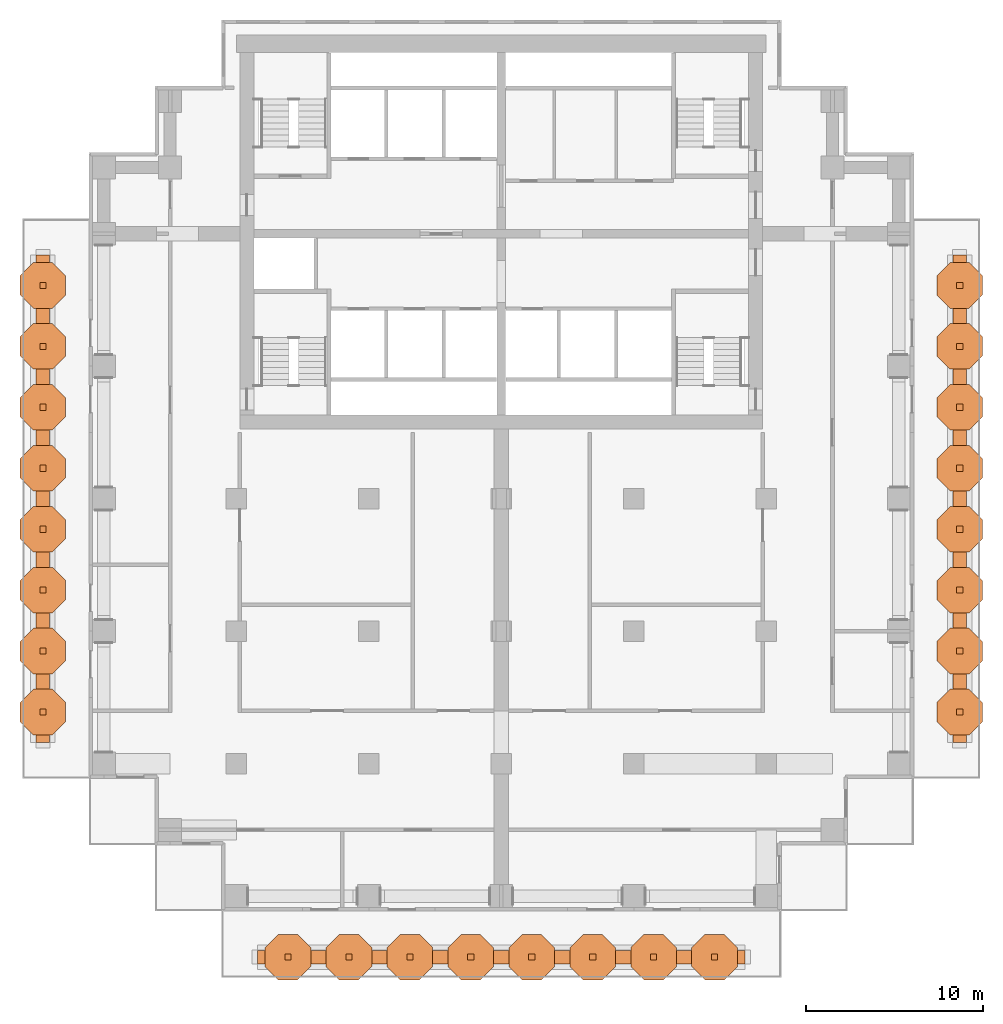
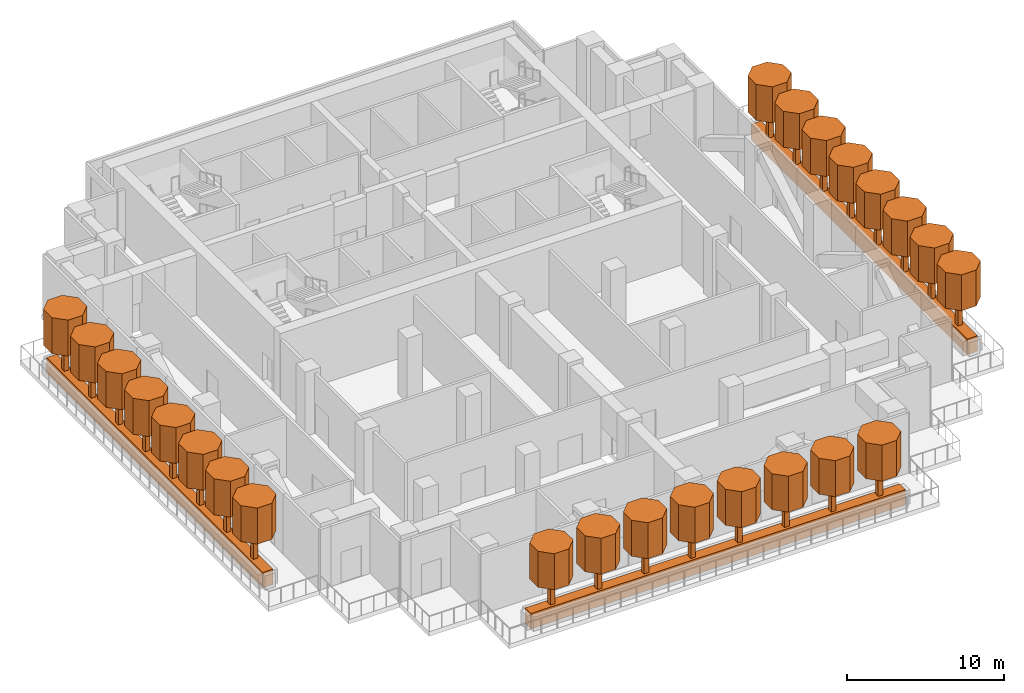
# One storey, part 9 of 9: 51 geographic elements.
"""IFC4 building model written with IfcOpenShell, lengths in metres."""

from ifc_helpers import new_model, si_unit, direction, frame, origin, origin_2d, place, context, subcontext, project, spatial, polyline, rectangle, outline, extrude, material, material_profile, profile_set, type_object, element, save


model = new_model("IFC4")

# Units and contexts
model_context = context("Model", 3, precision=1e-05, world=origin(), true_north=direction((0.0, 1.0)))
body_context = subcontext(model_context, "Body", "Model", "MODEL_VIEW")
ifc_project = project(units=[si_unit("LENGTHUNIT", "METRE"), si_unit("AREAUNIT", "SQUARE_METRE"), si_unit("VOLUMEUNIT", "CUBIC_METRE"), si_unit("PLANEANGLEUNIT", "RADIAN"), si_unit("MASSUNIT", "GRAM", prefix="KILO")], contexts=[model_context])

# Site, building, storey
site_placement = place(None, origin())
site = spatial("IfcSite", under=ifc_project, at=site_placement, CompositionType="ELEMENT")
building_placement = place(site_placement, origin())
building = spatial("IfcBuilding", under=site, at=building_placement, Name="Pilkhan Gate Tower", CompositionType="ELEMENT")
storey_placement = place(building_placement, frame((0.0, 0.0, 102.199951171875)))
storey = spatial("IfcBuildingStorey", under=building, at=storey_placement, Name="L25", CompositionType="ELEMENT", Elevation=102.199951171875)

# Geographic elements
ifc_material_1 = material(Name="Foliage")
ifc_material_profile_1 = material_profile(ifc_material_1, rectangle(XDim=0.75, YDim=1.199951171875, at=origin_2d()), Name="Bed 750x1200")
ifc_profile_set_1 = profile_set([ifc_material_profile_1], Name="Foliage")
geographic_element_type_1 = type_object("IfcGeographicElementType", Name="Planting bed PB1", PredefinedType="USERDEFINED", material=ifc_profile_set_1)
for number, where, z_axis, x_axis, name in (
    (1, (100.949951171875, 81.300048828125, 0.60009765625), (0.0, -1.0, 0.0), (1.0, 0.0, 0.0), "Terrace L25 2 planting bed"),
    (2, (88.800048828125, 41.550048828125, 0.60009765625), (-1.0, 0.0, 0.0), (0.0, -1.0, 0.0), "Terrace L25 0 planting bed"),
    (3, (49.050048828125, 53.699951171875, 0.60009765625), (0.0, 1.0, 0.0), (-1.0, 0.0, 0.0), "Terrace L25 0 planting bed"),
):
    element("IfcGeographicElement", number, at=place(storey_placement, frame(where, z_axis=z_axis, x_axis=x_axis)), inside=storey, type_object=geographic_element_type_1, Name=name, ObjectType="PLANTING BED", PredefinedType="USERDEFINED", context=body_context, shape_type="SweptSolid", body=[
        extrude(rectangle(XDim=0.75, YDim=1.199951171875, at=origin_2d()), origin(), (0.0, 0.0, 1.0), 27.60009765625),
    ])
ifc_material_profile_2 = material_profile(ifc_material_1, outline(polyline([(1.29345703125, 0.535888671875), (0.535888671875, 1.29345703125), (-0.535888671875, 1.29345703125), (-1.29345703125, 0.535888671875), (-1.29345703125, -0.535888671875), (-0.535888671875, -1.29345703125), (0.535888671875, -1.29345703125), (1.29345703125, -0.535888671875), (1.29345703125, 0.535888671875)])), Name="Canopy D2.8")
ifc_profile_set_2 = profile_set([ifc_material_profile_2], Name="Foliage")
geographic_element_type_2 = type_object("IfcGeographicElementType", Name="Tree canopy TC14", PredefinedType="USERDEFINED", material=ifc_profile_set_2)
for number, where, z_axis, x_axis, name in (
    (4, (100.949951171875, 79.574951171875, 3.199951171875), (0.0, 0.0, 1.0), (1.0, 0.0, 0.0), "Tree L25 terrace 2.1 canopy"),
    (5, (100.949951171875, 76.125, 3.199951171875), (0.0, 0.0, 1.0), (1.0, 0.0, 0.0), "Tree L25 terrace 2.2 canopy"),
    (6, (100.949951171875, 72.675048828125, 3.199951171875), (0.0, 0.0, 1.0), (1.0, 0.0, 0.0), "Tree L25 terrace 2.3 canopy"),
    (7, (100.949951171875, 69.22509765625, 3.199951171875), (0.0, 0.0, 1.0), (1.0, 0.0, 0.0), "Tree L25 terrace 2.4 canopy"),
    (8, (100.949951171875, 65.77490234375, 3.199951171875), (0.0, 0.0, 1.0), (1.0, 0.0, 0.0), "Tree L25 terrace 2.5 canopy"),
    (9, (100.949951171875, 62.324951171875, 3.199951171875), (0.0, 0.0, 1.0), (1.0, 0.0, 0.0), "Tree L25 terrace 2.6 canopy"),
    (10, (100.949951171875, 58.875, 3.199951171875), (0.0, 0.0, 1.0), (1.0, 0.0, 0.0), "Tree L25 terrace 2.7 canopy"),
    (11, (100.949951171875, 55.425048828125, 3.199951171875), (0.0, 0.0, 1.0), (1.0, 0.0, 0.0), "Tree L25 terrace 2.8 canopy"),
    (12, (87.074951171875, 41.550048828125, 3.199951171875), (0.0, 0.0, 1.0), (1.0, 0.0, 0.0), "Tree L25 terrace 0.1 canopy"),
    (13, (83.625, 41.550048828125, 3.199951171875), (0.0, 0.0, 1.0), (1.0, 0.0, 0.0), "Tree L25 terrace 0.2 canopy"),
    (14, (80.175048828125, 41.550048828125, 3.199951171875), (0.0, 0.0, 1.0), (1.0, 0.0, 0.0), "Tree L25 terrace 0.3 canopy"),
    (15, (76.72509765625, 41.550048828125, 3.199951171875), (0.0, 0.0, 1.0), (1.0, 0.0, 0.0), "Tree L25 terrace 0.4 canopy"),
    (16, (73.27490234375, 41.550048828125, 3.199951171875), (0.0, 0.0, 1.0), (1.0, 0.0, 0.0), "Tree L25 terrace 0.5 canopy"),
    (17, (69.824951171875, 41.550048828125, 3.199951171875), (0.0, 0.0, 1.0), (1.0, 0.0, 0.0), "Tree L25 terrace 0.6 canopy"),
    (18, (66.375, 41.550048828125, 3.199951171875), (0.0, 0.0, 1.0), (1.0, 0.0, 0.0), "Tree L25 terrace 0.7 canopy"),
    (19, (62.925048828125, 41.550048828125, 3.199951171875), (0.0, 0.0, 1.0), (1.0, 0.0, 0.0), "Tree L25 terrace 0.8 canopy"),
    (20, (49.050048828125, 55.425048828125, 3.199951171875), (0.0, 0.0, 1.0), (1.0, 0.0, 0.0), "Tree L25 terrace 0.1 canopy"),
    (21, (49.050048828125, 58.875, 3.199951171875), (0.0, 0.0, 1.0), (1.0, 0.0, 0.0), "Tree L25 terrace 0.2 canopy"),
    (22, (49.050048828125, 62.324951171875, 3.199951171875), (0.0, 0.0, 1.0), (1.0, 0.0, 0.0), "Tree L25 terrace 0.3 canopy"),
    (23, (49.050048828125, 65.77490234375, 3.199951171875), (0.0, 0.0, 1.0), (1.0, 0.0, 0.0), "Tree L25 terrace 0.4 canopy"),
    (24, (49.050048828125, 69.22509765625, 3.199951171875), (0.0, 0.0, 1.0), (1.0, 0.0, 0.0), "Tree L25 terrace 0.5 canopy"),
    (25, (49.050048828125, 72.675048828125, 3.199951171875), (0.0, 0.0, 1.0), (1.0, 0.0, 0.0), "Tree L25 terrace 0.6 canopy"),
    (26, (49.050048828125, 76.125, 3.199951171875), (0.0, 0.0, 1.0), (1.0, 0.0, 0.0), "Tree L25 terrace 0.7 canopy"),
    (27, (49.050048828125, 79.574951171875, 3.199951171875), (0.0, 0.0, 1.0), (1.0, 0.0, 0.0), "Tree L25 terrace 0.8 canopy"),
):
    element("IfcGeographicElement", number, at=place(storey_placement, frame(where, z_axis=z_axis, x_axis=x_axis)), inside=storey, type_object=geographic_element_type_2, Name=name, ObjectType="TREE", PredefinedType="USERDEFINED", context=body_context, shape_type="SweptSolid", body=[
        extrude(outline(polyline([(1.29345703125, 0.535888671875), (0.535888671875, 1.29345703125), (-0.535888671875, 1.29345703125), (-1.29345703125, 0.535888671875), (-1.29345703125, -0.535888671875), (-0.535888671875, -1.29345703125), (0.535888671875, -1.29345703125), (1.29345703125, -0.535888671875), (1.29345703125, 0.535888671875)])), origin(), (0.0, 0.0, 1.0), 2.800048828125),
    ])
ifc_material_2 = material(Name="Timber trunk", Category="wood")
geographic_element_type_3 = type_object("IfcGeographicElementType", Name="Tree trunk TT1", PredefinedType="USERDEFINED", material=ifc_material_2)
for number, where, z_axis, x_axis, name in (
    (28, (100.949951171875, 79.574951171875, 1.199951171875), (0.0, 0.0, 1.0), (1.0, 0.0, 0.0), "Tree L25 terrace 2.1 trunk"),
    (29, (100.949951171875, 76.125, 1.199951171875), (0.0, 0.0, 1.0), (1.0, 0.0, 0.0), "Tree L25 terrace 2.2 trunk"),
    (30, (100.949951171875, 72.675048828125, 1.199951171875), (0.0, 0.0, 1.0), (1.0, 0.0, 0.0), "Tree L25 terrace 2.3 trunk"),
    (31, (100.949951171875, 69.22509765625, 1.199951171875), (0.0, 0.0, 1.0), (1.0, 0.0, 0.0), "Tree L25 terrace 2.4 trunk"),
    (32, (100.949951171875, 65.77490234375, 1.199951171875), (0.0, 0.0, 1.0), (1.0, 0.0, 0.0), "Tree L25 terrace 2.5 trunk"),
    (33, (100.949951171875, 62.324951171875, 1.199951171875), (0.0, 0.0, 1.0), (1.0, 0.0, 0.0), "Tree L25 terrace 2.6 trunk"),
    (34, (100.949951171875, 58.875, 1.199951171875), (0.0, 0.0, 1.0), (1.0, 0.0, 0.0), "Tree L25 terrace 2.7 trunk"),
    (35, (100.949951171875, 55.425048828125, 1.199951171875), (0.0, 0.0, 1.0), (1.0, 0.0, 0.0), "Tree L25 terrace 2.8 trunk"),
    (36, (87.074951171875, 41.550048828125, 1.199951171875), (0.0, 0.0, 1.0), (1.0, 0.0, 0.0), "Tree L25 terrace 0.1 trunk"),
    (37, (83.625, 41.550048828125, 1.199951171875), (0.0, 0.0, 1.0), (1.0, 0.0, 0.0), "Tree L25 terrace 0.2 trunk"),
    (38, (80.175048828125, 41.550048828125, 1.199951171875), (0.0, 0.0, 1.0), (1.0, 0.0, 0.0), "Tree L25 terrace 0.3 trunk"),
    (39, (76.72509765625, 41.550048828125, 1.199951171875), (0.0, 0.0, 1.0), (1.0, 0.0, 0.0), "Tree L25 terrace 0.4 trunk"),
    (40, (73.27490234375, 41.550048828125, 1.199951171875), (0.0, 0.0, 1.0), (1.0, 0.0, 0.0), "Tree L25 terrace 0.5 trunk"),
    (41, (69.824951171875, 41.550048828125, 1.199951171875), (0.0, 0.0, 1.0), (1.0, 0.0, 0.0), "Tree L25 terrace 0.6 trunk"),
    (42, (66.375, 41.550048828125, 1.199951171875), (0.0, 0.0, 1.0), (1.0, 0.0, 0.0), "Tree L25 terrace 0.7 trunk"),
    (43, (62.925048828125, 41.550048828125, 1.199951171875), (0.0, 0.0, 1.0), (1.0, 0.0, 0.0), "Tree L25 terrace 0.8 trunk"),
    (44, (49.050048828125, 55.425048828125, 1.199951171875), (0.0, 0.0, 1.0), (1.0, 0.0, 0.0), "Tree L25 terrace 0.1 trunk"),
    (45, (49.050048828125, 58.875, 1.199951171875), (0.0, 0.0, 1.0), (1.0, 0.0, 0.0), "Tree L25 terrace 0.2 trunk"),
    (46, (49.050048828125, 62.324951171875, 1.199951171875), (0.0, 0.0, 1.0), (1.0, 0.0, 0.0), "Tree L25 terrace 0.3 trunk"),
    (47, (49.050048828125, 65.77490234375, 1.199951171875), (0.0, 0.0, 1.0), (1.0, 0.0, 0.0), "Tree L25 terrace 0.4 trunk"),
    (48, (49.050048828125, 69.22509765625, 1.199951171875), (0.0, 0.0, 1.0), (1.0, 0.0, 0.0), "Tree L25 terrace 0.5 trunk"),
    (49, (49.050048828125, 72.675048828125, 1.199951171875), (0.0, 0.0, 1.0), (1.0, 0.0, 0.0), "Tree L25 terrace 0.6 trunk"),
    (50, (49.050048828125, 76.125, 1.199951171875), (0.0, 0.0, 1.0), (1.0, 0.0, 0.0), "Tree L25 terrace 0.7 trunk"),
    (51, (49.050048828125, 79.574951171875, 1.199951171875), (0.0, 0.0, 1.0), (1.0, 0.0, 0.0), "Tree L25 terrace 0.8 trunk"),
):
    element("IfcGeographicElement", number, at=place(storey_placement, frame(where, z_axis=z_axis, x_axis=x_axis)), inside=storey, type_object=geographic_element_type_3, Name=name, ObjectType="TREE", PredefinedType="USERDEFINED", context=body_context, shape_type="SweptSolid", body=[
        extrude(rectangle(XDim=0.35009765625, YDim=0.35009765625, at=origin_2d()), origin(), (0.0, 0.0, 1.0), 2.0),
    ])

save(model, "model.ifc")
